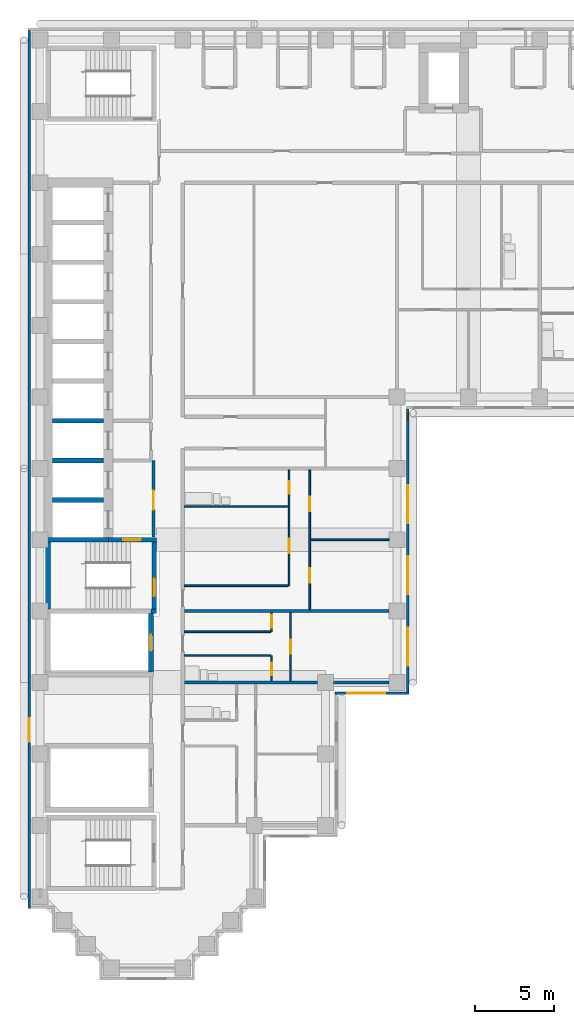
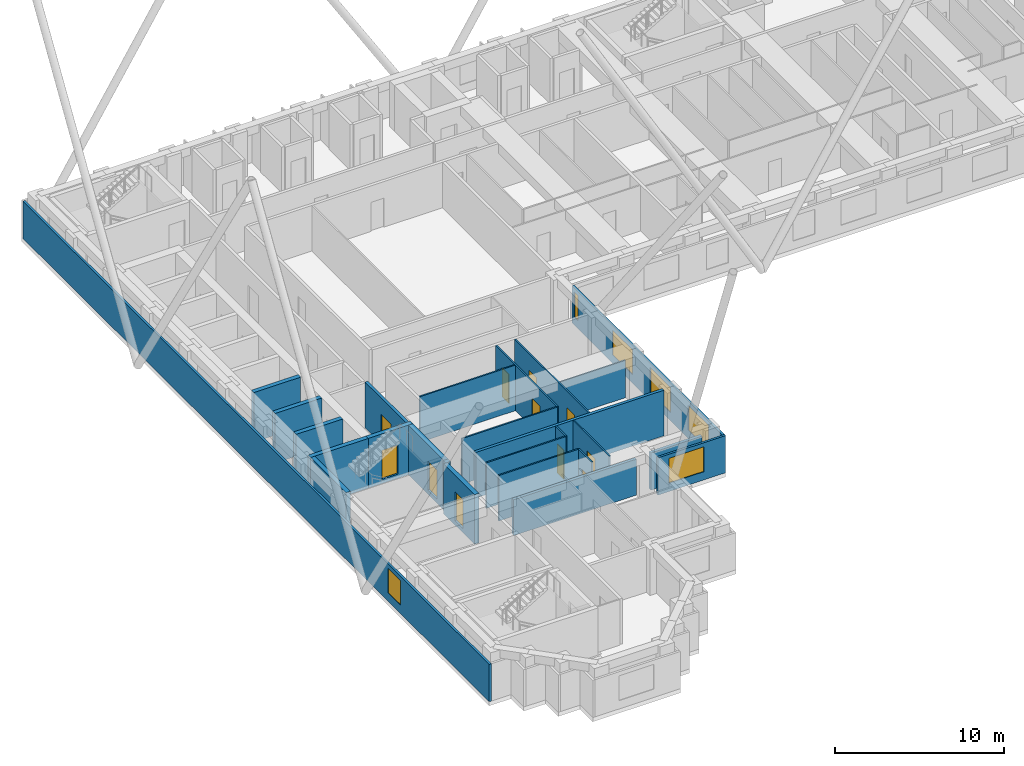
# One storey, part 4 of 13: 26 walls, 11 doors, 6 windows, 17 openings.
"""IFC4 building model written with IfcOpenShell, lengths in metres."""

from ifc_helpers import new_model, si_unit, direction, frame, frame_2d, origin, place, context, subcontext, project, spatial, rectangle, extrude, material, layer, layer_set, type_object, element, fill, save


model = new_model("IFC4")

# Units and contexts
model_context = context("Model", 3, precision=1e-05, world=origin(), true_north=direction((0.0, 1.0)))
body_context = subcontext(model_context, "Body", "Model", "MODEL_VIEW")
ifc_project = project(units=[si_unit("LENGTHUNIT", "METRE"), si_unit("AREAUNIT", "SQUARE_METRE"), si_unit("VOLUMEUNIT", "CUBIC_METRE"), si_unit("PLANEANGLEUNIT", "RADIAN"), si_unit("MASSUNIT", "GRAM", prefix="KILO")], contexts=[model_context])

# Site, building, storey
site_placement = place(None, origin())
site = spatial("IfcSite", under=ifc_project, at=site_placement, CompositionType="ELEMENT")
building_placement = place(site_placement, origin())
building = spatial("IfcBuilding", under=site, at=building_placement, Name="Firuza Court", CompositionType="ELEMENT")
storey_placement = place(building_placement, frame((0.0, 0.0, 119.60009765625)))
storey = spatial("IfcBuildingStorey", under=building, at=storey_placement, Name="L29", CompositionType="ELEMENT", Elevation=119.60009765625)

# Walls
ifc_material_1 = material(Name="Moisture-resistant gypsum board partition")
ifc_layer_1 = layer(ifc_material_1, 0.10009765625)
ifc_layer_set_1 = layer_set([ifc_layer_1], Name="Moisture-resistant gypsum board partition")
wall_type_1 = type_object("IfcWallType", Name="Bathroom partition 100", PredefinedType="PLUMBINGWALL", material=ifc_layer_set_1)
wall_1_placement = place(storey_placement, frame((9.10009765625, 19.699951171875, 0.0), z_axis=(0.0, 0.0, 1.0), x_axis=(1.0, 0.0, 0.0)))
element("IfcWall", 1, at=wall_1_placement, inside=storey, type_object=wall_type_1, Name="Bathroom partition 100 L29", PredefinedType="PLUMBINGWALL", context=body_context, shape_type="SweptSolid", body=[
    extrude(rectangle(XDim=5.449951171875, YDim=0.10009765625, at=frame_2d((2.72509765625, 0.0))), origin(), (0.0, 0.0, 1.0), 3.2998046875),
])
wall_2_placement = place(storey_placement, frame((9.10009765625, 29.10009765625, 0.0), z_axis=(0.0, 0.0, 1.0), x_axis=(1.0, 0.0, 0.0)))
element("IfcWall", 2, at=wall_2_placement, inside=storey, type_object=wall_type_1, Name="Bathroom partition 100 L29", PredefinedType="PLUMBINGWALL", context=body_context, shape_type="SweptSolid", body=[
    extrude(rectangle(XDim=6.5498046875, YDim=0.10009765625, at=frame_2d((3.27490234375, 0.0))), origin(), (0.0, 0.0, 1.0), 3.2998046875),
])
ifc_material_2 = material(Name="Concrete C60/75", Category="concrete")
ifc_layer_2 = layer(ifc_material_2, 0.300048828125)
ifc_layer_set_2 = layer_set([ifc_layer_2], Name="Concrete C60/75")
wall_type_2 = type_object("IfcWallType", Name="Core wall 300 C60/75", PredefinedType="SHEAR", material=ifc_layer_set_2)
wall_3_placement = place(storey_placement, frame((0.35009765625, 27.0, -0.300048828125), z_axis=(0.0, 0.0, 1.0), x_axis=(1.0, 0.0, 0.0)))
element("IfcWall", 3, at=wall_3_placement, inside=storey, type_object=wall_type_2, Name="Core wall lift shaft L29", PredefinedType="SHEAR", context=body_context, shape_type="SweptSolid", body=[
    extrude(rectangle(XDim=3.949951171875, YDim=0.300048828125, at=frame_2d((1.97509765625, 0.0))), origin(), (0.0, 0.0, 1.0), 3.599853515625),
])
wall_4_placement = place(storey_placement, frame((0.5, 22.64990234375, -0.300048828125), z_axis=(0.0, 0.0, 1.0), x_axis=(0.0, 1.0, 0.0)))
element("IfcWall", 4, at=wall_4_placement, inside=storey, type_object=wall_type_2, Name="Core wall stair L29", PredefinedType="SHEAR", context=body_context, shape_type="SweptSolid", body=[
    extrude(rectangle(XDim=4.2001953125, YDim=0.300048828125, at=frame_2d((2.10009765625, 0.0))), origin(), (0.0, 0.0, 1.0), 3.599853515625),
])
for number, where, z_axis, x_axis, name in (
    (5, (0.800048828125, 29.5, -0.300048828125), (0.0, 0.0, 1.0), (1.0, 0.0, 0.0), "Core wall lift shaft L29"),
    (6, (0.800048828125, 32.0, -0.300048828125), (0.0, 0.0, 1.0), (1.0, 0.0, 0.0), "Core wall lift shaft L29"),
    (7, (0.800048828125, 34.5, -0.300048828125), (0.0, 0.0, 1.0), (1.0, 0.0, 0.0), "Core wall lift shaft L29"),
):
    element("IfcWall", number, at=place(storey_placement, frame(where, z_axis=z_axis, x_axis=x_axis)), inside=storey, type_object=wall_type_2, Name=name, PredefinedType="SHEAR", context=body_context, shape_type="SweptSolid", body=[
        extrude(rectangle(XDim=3.199951171875, YDim=0.300048828125, at=frame_2d((1.60009765625, 0.0))), origin(), (0.0, 0.0, 1.0), 3.599853515625),
    ])

# Wall, opening, door
wall_5_placement = place(storey_placement, frame((4.300048828125, 27.0, -0.300048828125), z_axis=(0.0, 0.0, 1.0), x_axis=(1.0, 0.0, 0.0)))
wall_5 = element("IfcWall", 8, at=wall_5_placement, inside=storey, type_object=wall_type_2, Name="Core wall stair L29", PredefinedType="SHEAR", context=body_context, shape_type="SweptSolid", body=[
    extrude(rectangle(XDim=3.050048828125, YDim=0.300048828125, at=frame_2d((1.52490234375, 0.0))), origin(), (0.0, 0.0, 1.0), 3.599853515625),
])
opening_1_placement = place(wall_5_placement, frame((0.949951171875, 0.0, 0.300048828125)))
opening_1 = element("IfcOpeningElement", 9, at=opening_1_placement, cuts=wall_5, Name="Opening D29013", PredefinedType="OPENING", context=body_context, shape_type="SweptSolid", body=[
    extrude(rectangle(XDim=1.10009765625, YDim=2.10009765625, at=frame_2d((0.550048828125, 1.050048828125))), frame((0.0, 0.162109375, 0.0), z_axis=(0.0, -1.0, 0.0), x_axis=(1.0, 0.0, 0.0)), (0.0, 0.0, 1.0), 0.323974609375),
])
ifc_material_3 = material(Name="Timber door leaf in hardwood frame", Category="wood")
door_type_1 = type_object("IfcDoorType", Name="Stair door 1100", OperationType="SINGLE_SWING_LEFT", PredefinedType="DOOR", material=ifc_material_3)
door_1_placement = place(opening_1_placement, frame((1.10009765625, 0.0, 0.0), z_axis=(0.0, 0.0, 1.0), x_axis=(-1.0, 0.0, 0.0)))
door_1 = element("IfcDoor", 10, at=door_1_placement, inside=storey, type_object=door_type_1, Name="Fire-fighting lobby door", OperationType="SINGLE_SWING_LEFT", OverallHeight=2.10009765625, OverallWidth=1.10009765625, PredefinedType="DOOR", context=body_context, shape_type="SweptSolid", body=[
    extrude(rectangle(XDim=1.10009765625, YDim=2.10009765625, at=frame_2d((0.550048828125, 1.050048828125))), frame((0.0, 0.02490234375, 0.0), z_axis=(0.0, -1.0, 0.0), x_axis=(1.0, 0.0, 0.0)), (0.0, 0.0, 1.0), 0.050048828125),
])
fill(opening_1, door_1)

wall_6_placement = place(storey_placement, frame((7.0, 18.64990234375, -0.300048828125), z_axis=(0.0, 0.0, 1.0), x_axis=(0.0, 1.0, 0.0)))
wall_6 = element("IfcWall", 11, at=wall_6_placement, inside=storey, type_object=wall_type_2, Name="Core wall riser L29", PredefinedType="SHEAR", context=body_context, shape_type="SweptSolid", body=[
    extrude(rectangle(XDim=3.7001953125, YDim=0.300048828125, at=frame_2d((1.85009765625, 0.0))), origin(), (0.0, 0.0, 1.0), 3.599853515625),
])
opening_2_placement = place(wall_6_placement, frame((1.35009765625, 0.0, 0.300048828125)))
opening_2 = element("IfcOpeningElement", 12, at=opening_2_placement, cuts=wall_6, Name="Opening D29009", PredefinedType="OPENING", context=body_context, shape_type="SweptSolid", body=[
    extrude(rectangle(XDim=1.0, YDim=2.10009765625, at=frame_2d((0.5, 1.050048828125))), frame((0.0, 0.162109375, 0.0), z_axis=(0.0, -1.0, 0.0), x_axis=(1.0, 0.0, 0.0)), (0.0, 0.0, 1.0), 0.323974609375),
])
ifc_material_4 = material(Name="Timber door leaf in hardwood frame", Category="wood")
door_type_2 = type_object("IfcDoorType", Name="Riser door 1000", OperationType="SINGLE_SWING_LEFT", PredefinedType="DOOR", material=ifc_material_4)
door_2_placement = place(opening_2_placement, origin())
door_2 = element("IfcDoor", 13, at=door_2_placement, inside=storey, type_object=door_type_2, Name="Riser door R1", OperationType="SINGLE_SWING_LEFT", OverallHeight=2.10009765625, OverallWidth=1.0, PredefinedType="DOOR", context=body_context, shape_type="SweptSolid", body=[
    extrude(rectangle(XDim=1.0, YDim=2.10009765625, at=frame_2d((0.5, 1.050048828125))), frame((0.0, 0.02490234375, 0.0), z_axis=(0.0, -1.0, 0.0), x_axis=(1.0, 0.0, 0.0)), (0.0, 0.0, 1.0), 0.050048828125),
])
fill(opening_2, door_2)

# Wall
wall_7_placement = place(storey_placement, frame((7.0, 22.5, -0.300048828125), z_axis=(0.0, 0.0, 1.0), x_axis=(1.0, 0.0, 0.0)))
element("IfcWall", 14, at=wall_7_placement, inside=storey, type_object=wall_type_2, Name="Core wall stair L29", PredefinedType="SHEAR", context=body_context, shape_type="SweptSolid", body=[
    extrude(rectangle(XDim=0.35009765625, YDim=0.300048828125, at=frame_2d((0.175048828125, 0.0))), origin(), (0.0, 0.0, 1.0), 3.599853515625),
])

# Wall, opening, door
wall_8_placement = place(storey_placement, frame((7.199951171875, 22.64990234375, -0.300048828125), z_axis=(0.0, 0.0, 1.0), x_axis=(0.0, 1.0, 0.0)))
wall_8 = element("IfcWall", 15, at=wall_8_placement, inside=storey, type_object=wall_type_2, Name="Core wall stair L29", PredefinedType="SHEAR", context=body_context, shape_type="SweptSolid", body=[
    extrude(rectangle(XDim=4.2001953125, YDim=0.300048828125, at=frame_2d((2.10009765625, 0.0))), origin(), (0.0, 0.0, 1.0), 3.599853515625),
])
opening_3_placement = place(wall_8_placement, frame((0.800048828125, 0.0, 0.300048828125)))
opening_3 = element("IfcOpeningElement", 16, at=opening_3_placement, cuts=wall_8, Name="Opening D29014", PredefinedType="OPENING", context=body_context, shape_type="SweptSolid", body=[
    extrude(rectangle(XDim=1.10009765625, YDim=2.10009765625, at=frame_2d((0.550048828125, 1.050048828125))), frame((0.0, 0.162109375, 0.0), z_axis=(0.0, -1.0, 0.0), x_axis=(1.0, 0.0, 0.0)), (0.0, 0.0, 1.0), 0.323974609375),
])
door_3_placement = place(opening_3_placement, origin())
door_3 = element("IfcDoor", 17, at=door_3_placement, inside=storey, type_object=door_type_1, Name="Stair door S2", OperationType="SINGLE_SWING_LEFT", OverallHeight=2.10009765625, OverallWidth=1.10009765625, PredefinedType="DOOR", context=body_context, shape_type="SweptSolid", body=[
    extrude(rectangle(XDim=1.10009765625, YDim=2.10009765625, at=frame_2d((0.550048828125, 1.050048828125))), frame((0.0, 0.02490234375, 0.0), z_axis=(0.0, -1.0, 0.0), x_axis=(1.0, 0.0, 0.0)), (0.0, 0.0, 1.0), 0.050048828125),
])
fill(opening_3, door_3)

ifc_material_5 = material(Name="Timber stud partition, plasterboard both sides", Category="wood")
ifc_layer_3 = layer(ifc_material_5, 0.10009765625)
ifc_layer_set_3 = layer_set([ifc_layer_3], Name="Timber stud partition, plasterboard both sides")
wall_type_3 = type_object("IfcWallType", Name="Partition wall 100", PredefinedType="PARTITIONING", material=ifc_layer_set_3)
wall_9_placement = place(storey_placement, frame((14.60009765625, 18.10009765625, 0.0), z_axis=(0.0, 0.0, 1.0), x_axis=(0.0, 1.0, 0.0)))
wall_9 = element("IfcWall", 18, at=wall_9_placement, inside=storey, type_object=wall_type_3, Name="Partition wall 100 L29", PredefinedType="PARTITIONING", context=body_context, shape_type="SweptSolid", body=[
    extrude(rectangle(XDim=1.599853515625, YDim=0.10009765625, at=frame_2d((0.7998046875, 0.0))), origin(), (0.0, 0.0, 1.0), 3.2998046875),
])
opening_4_placement = place(wall_9_placement, frame((0.35009765625, 0.0, 0.0)))
opening_4 = element("IfcOpeningElement", 19, at=opening_4_placement, cuts=wall_9, Name="Opening D29027", PredefinedType="OPENING", context=body_context, shape_type="SweptSolid", body=[
    extrude(rectangle(XDim=0.800048828125, YDim=2.10009765625, at=frame_2d((0.39990234375, 1.050048828125))), frame((0.0, 0.06201171875, 0.0), z_axis=(0.0, -1.0, 0.0), x_axis=(1.0, 0.0, 0.0)), (0.0, 0.0, 1.0), 0.1240234375),
])
ifc_material_6 = material(Name="Timber door leaf in hardwood frame", Category="wood")
door_type_3 = type_object("IfcDoorType", Name="Bathroom door 800", OperationType="SINGLE_SWING_LEFT", PredefinedType="DOOR", material=ifc_material_6)
door_4_placement = place(opening_4_placement, origin())
door_4 = element("IfcDoor", 20, at=door_4_placement, inside=storey, type_object=door_type_3, Name="Bathroom door", OperationType="SINGLE_SWING_LEFT", OverallHeight=2.10009765625, OverallWidth=0.800048828125, PredefinedType="DOOR", context=body_context, shape_type="SweptSolid", body=[
    extrude(rectangle(XDim=0.800048828125, YDim=2.10009765625, at=frame_2d((0.39990234375, 1.050048828125))), frame((0.0, 0.02490234375, 0.0), z_axis=(0.0, -1.0, 0.0), x_axis=(1.0, 0.0, 0.0)), (0.0, 0.0, 1.0), 0.050048828125),
])
fill(opening_4, door_4)

wall_10_placement = place(storey_placement, frame((15.800048828125, 18.10009765625, 0.0), z_axis=(0.0, 0.0, 1.0), x_axis=(0.0, 1.0, 0.0)))
wall_10 = element("IfcWall", 21, at=wall_10_placement, inside=storey, type_object=wall_type_3, Name="Partition wall 100 L29", PredefinedType="PARTITIONING", context=body_context, shape_type="SweptSolid", body=[
    extrude(rectangle(XDim=4.2998046875, YDim=0.10009765625, at=frame_2d((2.14990234375, 0.0))), origin(), (0.0, 0.0, 1.0), 3.2998046875),
])
opening_5_placement = place(wall_10_placement, frame((1.699951171875, 0.0, 0.0)))
opening_5 = element("IfcOpeningElement", 22, at=opening_5_placement, cuts=wall_10, Name="Opening D29028", PredefinedType="OPENING", context=body_context, shape_type="SweptSolid", body=[
    extrude(rectangle(XDim=0.89990234375, YDim=2.10009765625, at=frame_2d((0.449951171875, 1.050048828125))), frame((0.0, 0.06201171875, 0.0), z_axis=(0.0, -1.0, 0.0), x_axis=(1.0, 0.0, 0.0)), (0.0, 0.0, 1.0), 0.1240234375),
])
ifc_material_7 = material(Name="Timber door leaf in hardwood frame", Category="wood")
door_type_4 = type_object("IfcDoorType", Name="Room door 900", OperationType="SINGLE_SWING_LEFT", PredefinedType="DOOR", material=ifc_material_7)
door_5_placement = place(opening_5_placement, frame((0.89990234375, 0.0, 0.0), z_axis=(0.0, 0.0, 1.0), x_axis=(-1.0, 0.0, 0.0)))
door_5 = element("IfcDoor", 23, at=door_5_placement, inside=storey, type_object=door_type_4, Name="Studio room door", OperationType="SINGLE_SWING_RIGHT", OverallHeight=2.10009765625, OverallWidth=0.89990234375, PredefinedType="DOOR", context=body_context, shape_type="SweptSolid", body=[
    extrude(rectangle(XDim=0.89990234375, YDim=2.10009765625, at=frame_2d((0.449951171875, 1.050048828125))), frame((0.0, 0.02490234375, 0.0), z_axis=(0.0, -1.0, 0.0), x_axis=(1.0, 0.0, 0.0)), (0.0, 0.0, 1.0), 0.050048828125),
])
fill(opening_5, door_5)

# Wall
wall_11_placement = place(storey_placement, frame((9.10009765625, 21.199951171875, 0.0), z_axis=(0.0, 0.0, 1.0), x_axis=(1.0, 0.0, 0.0)))
element("IfcWall", 24, at=wall_11_placement, inside=storey, type_object=wall_type_3, Name="Partition wall 100 L29", PredefinedType="PARTITIONING", context=body_context, shape_type="SweptSolid", body=[
    extrude(rectangle(XDim=5.449951171875, YDim=0.10009765625, at=frame_2d((2.72509765625, 0.0))), origin(), (0.0, 0.0, 1.0), 3.2998046875),
])

# Wall, opening, door
wall_12_placement = place(storey_placement, frame((14.60009765625, 21.199951171875, 0.0), z_axis=(0.0, 0.0, 1.0), x_axis=(0.0, 1.0, 0.0)))
wall_12 = element("IfcWall", 25, at=wall_12_placement, inside=storey, type_object=wall_type_3, Name="Partition wall 100 L29", PredefinedType="PARTITIONING", context=body_context, shape_type="SweptSolid", body=[
    extrude(rectangle(XDim=1.199951171875, YDim=0.10009765625, at=frame_2d((0.60009765625, 0.0))), origin(), (0.0, 0.0, 1.0), 3.2998046875),
])
opening_6_placement = place(wall_12_placement, frame((0.25, 0.0, 0.0)))
opening_6 = element("IfcOpeningElement", 26, at=opening_6_placement, cuts=wall_12, Name="Opening D29029", PredefinedType="OPENING", context=body_context, shape_type="SweptSolid", body=[
    extrude(rectangle(XDim=0.800048828125, YDim=2.10009765625, at=frame_2d((0.39990234375, 1.050048828125))), frame((0.0, 0.06201171875, 0.0), z_axis=(0.0, -1.0, 0.0), x_axis=(1.0, 0.0, 0.0)), (0.0, 0.0, 1.0), 0.1240234375),
])
ifc_material_8 = material(Name="Timber door leaf in hardwood frame", Category="wood")
door_type_5 = type_object("IfcDoorType", Name="Room door 800", OperationType="SINGLE_SWING_LEFT", PredefinedType="DOOR", material=ifc_material_8)
door_6_placement = place(opening_6_placement, origin())
door_6 = element("IfcDoor", 27, at=door_6_placement, inside=storey, type_object=door_type_5, Name="Kitchen door", OperationType="SINGLE_SWING_LEFT", OverallHeight=2.10009765625, OverallWidth=0.800048828125, PredefinedType="DOOR", context=body_context, shape_type="SweptSolid", body=[
    extrude(rectangle(XDim=0.800048828125, YDim=2.10009765625, at=frame_2d((0.39990234375, 1.050048828125))), frame((0.0, 0.02490234375, 0.0), z_axis=(0.0, -1.0, 0.0), x_axis=(1.0, 0.0, 0.0)), (0.0, 0.0, 1.0), 0.050048828125),
])
fill(opening_6, door_6)

# Wall, openings, doors
wall_13_placement = place(storey_placement, frame((17.0, 22.60009765625, 0.0), z_axis=(0.0, 0.0, 1.0), x_axis=(0.0, 1.0, 0.0)))
wall_13 = element("IfcWall", 28, at=wall_13_placement, inside=storey, type_object=wall_type_3, Name="Partition wall 100 L29", PredefinedType="PARTITIONING", context=body_context, shape_type="SweptSolid", body=[
    extrude(rectangle(XDim=8.7998046875, YDim=0.10009765625, at=frame_2d((4.39990234375, 0.0))), origin(), (0.0, 0.0, 1.0), 3.2998046875),
])
opening_7_placement = place(wall_13_placement, frame((1.699951171875, 0.0, 0.0)))
opening_7 = element("IfcOpeningElement", 29, at=opening_7_placement, cuts=wall_13, Name="Opening D29030", PredefinedType="OPENING", context=body_context, shape_type="SweptSolid", body=[
    extrude(rectangle(XDim=0.89990234375, YDim=2.10009765625, at=frame_2d((0.449951171875, 1.050048828125))), frame((0.0, 0.06201171875, 0.0), z_axis=(0.0, -1.0, 0.0), x_axis=(1.0, 0.0, 0.0)), (0.0, 0.0, 1.0), 0.1240234375),
])
opening_8_placement = place(wall_13_placement, frame((6.199951171875, 0.0, 0.0)))
opening_8 = element("IfcOpeningElement", 30, at=opening_8_placement, cuts=wall_13, Name="Opening D29031", PredefinedType="OPENING", context=body_context, shape_type="SweptSolid", body=[
    extrude(rectangle(XDim=0.89990234375, YDim=2.10009765625, at=frame_2d((0.449951171875, 1.050048828125))), frame((0.0, 0.06201171875, 0.0), z_axis=(0.0, -1.0, 0.0), x_axis=(1.0, 0.0, 0.0)), (0.0, 0.0, 1.0), 0.1240234375),
])
door_7_placement = place(opening_7_placement, frame((0.89990234375, 0.0, 0.0), z_axis=(0.0, 0.0, 1.0), x_axis=(-1.0, 0.0, 0.0)))
door_7 = element("IfcDoor", 31, at=door_7_placement, inside=storey, type_object=door_type_4, Name="Bedroom door", OperationType="SINGLE_SWING_RIGHT", OverallHeight=2.10009765625, OverallWidth=0.89990234375, PredefinedType="DOOR", context=body_context, shape_type="SweptSolid", body=[
    extrude(rectangle(XDim=0.89990234375, YDim=2.10009765625, at=frame_2d((0.449951171875, 1.050048828125))), frame((0.0, 0.02490234375, 0.0), z_axis=(0.0, -1.0, 0.0), x_axis=(1.0, 0.0, 0.0)), (0.0, 0.0, 1.0), 0.050048828125),
])
fill(opening_7, door_7)
door_8_placement = place(opening_8_placement, frame((0.89990234375, 0.0, 0.0), z_axis=(0.0, 0.0, 1.0), x_axis=(-1.0, 0.0, 0.0)))
door_8 = element("IfcDoor", 32, at=door_8_placement, inside=storey, type_object=door_type_4, Name="Living room door", OperationType="SINGLE_SWING_RIGHT", OverallHeight=2.10009765625, OverallWidth=0.89990234375, PredefinedType="DOOR", context=body_context, shape_type="SweptSolid", body=[
    extrude(rectangle(XDim=0.89990234375, YDim=2.10009765625, at=frame_2d((0.449951171875, 1.050048828125))), frame((0.0, 0.02490234375, 0.0), z_axis=(0.0, -1.0, 0.0), x_axis=(1.0, 0.0, 0.0)), (0.0, 0.0, 1.0), 0.050048828125),
])
fill(opening_8, door_8)

# Wall
wall_14_placement = place(storey_placement, frame((9.10009765625, 24.10009765625, 0.0), z_axis=(0.0, 0.0, 1.0), x_axis=(1.0, 0.0, 0.0)))
element("IfcWall", 33, at=wall_14_placement, inside=storey, type_object=wall_type_3, Name="Partition wall 100 L29", PredefinedType="PARTITIONING", context=body_context, shape_type="SweptSolid", body=[
    extrude(rectangle(XDim=6.5498046875, YDim=0.10009765625, at=frame_2d((3.27490234375, 0.0))), origin(), (0.0, 0.0, 1.0), 3.2998046875),
])

# Wall, openings, doors
wall_15_placement = place(storey_placement, frame((15.699951171875, 24.10009765625, 0.0), z_axis=(0.0, 0.0, 1.0), x_axis=(0.0, 1.0, 0.0)))
wall_15 = element("IfcWall", 34, at=wall_15_placement, inside=storey, type_object=wall_type_3, Name="Partition wall 100 L29", PredefinedType="PARTITIONING", context=body_context, shape_type="SweptSolid", body=[
    extrude(rectangle(XDim=7.2998046875, YDim=0.10009765625, at=frame_2d((3.64990234375, 0.0))), origin(), (0.0, 0.0, 1.0), 3.2998046875),
])
opening_9_placement = place(wall_15_placement, frame((5.800048828125, 0.0, 0.0)))
opening_9 = element("IfcOpeningElement", 35, at=opening_9_placement, cuts=wall_15, Name="Opening D29032", PredefinedType="OPENING", context=body_context, shape_type="SweptSolid", body=[
    extrude(rectangle(XDim=0.800048828125, YDim=2.10009765625, at=frame_2d((0.39990234375, 1.050048828125))), frame((0.0, 0.06201171875, 0.0), z_axis=(0.0, -1.0, 0.0), x_axis=(1.0, 0.0, 0.0)), (0.0, 0.0, 1.0), 0.1240234375),
])
opening_10_placement = place(wall_15_placement, frame((2.050048828125, 0.0, 0.0)))
opening_10 = element("IfcOpeningElement", 36, at=opening_10_placement, cuts=wall_15, Name="Opening D29033", PredefinedType="OPENING", context=body_context, shape_type="SweptSolid", body=[
    extrude(rectangle(XDim=0.89990234375, YDim=2.10009765625, at=frame_2d((0.449951171875, 1.050048828125))), frame((0.0, 0.06201171875, 0.0), z_axis=(0.0, -1.0, 0.0), x_axis=(1.0, 0.0, 0.0)), (0.0, 0.0, 1.0), 0.1240234375),
])
door_9_placement = place(opening_9_placement, origin())
door_9 = element("IfcDoor", 37, at=door_9_placement, inside=storey, type_object=door_type_3, Name="Bathroom door", OperationType="SINGLE_SWING_LEFT", OverallHeight=2.10009765625, OverallWidth=0.800048828125, PredefinedType="DOOR", context=body_context, shape_type="SweptSolid", body=[
    extrude(rectangle(XDim=0.800048828125, YDim=2.10009765625, at=frame_2d((0.39990234375, 1.050048828125))), frame((0.0, 0.02490234375, 0.0), z_axis=(0.0, -1.0, 0.0), x_axis=(1.0, 0.0, 0.0)), (0.0, 0.0, 1.0), 0.050048828125),
])
fill(opening_9, door_9)
door_10_placement = place(opening_10_placement, origin())
door_10 = element("IfcDoor", 38, at=door_10_placement, inside=storey, type_object=door_type_4, Name="Kitchen door", OperationType="SINGLE_SWING_LEFT", OverallHeight=2.10009765625, OverallWidth=0.89990234375, PredefinedType="DOOR", context=body_context, shape_type="SweptSolid", body=[
    extrude(rectangle(XDim=0.89990234375, YDim=2.10009765625, at=frame_2d((0.449951171875, 1.050048828125))), frame((0.0, 0.02490234375, 0.0), z_axis=(0.0, -1.0, 0.0), x_axis=(1.0, 0.0, 0.0)), (0.0, 0.0, 1.0), 0.050048828125),
])
fill(opening_10, door_10)

# Walls
wall_16_placement = place(storey_placement, frame((17.050048828125, 27.0, 0.0), z_axis=(0.0, 0.0, 1.0), x_axis=(1.0, 0.0, 0.0)))
element("IfcWall", 39, at=wall_16_placement, inside=storey, type_object=wall_type_3, Name="Partition wall 100 L29", PredefinedType="PARTITIONING", context=body_context, shape_type="SweptSolid", body=[
    extrude(rectangle(XDim=4.949951171875, YDim=0.10009765625, at=frame_2d((2.47509765625, 0.0))), origin(), (0.0, 0.0, 1.0), 2.699951171875),
])
ifc_material_9 = material(Name="Blockwork, plastered both sides", Category="masonry")
ifc_layer_4 = layer(ifc_material_9, 0.199951171875)
ifc_layer_set_4 = layer_set([ifc_layer_4], Name="Blockwork, plastered both sides")
wall_type_4 = type_object("IfcWallType", Name="Party wall 200", PredefinedType="PARTITIONING", material=ifc_layer_set_4)
wall_17_placement = place(storey_placement, frame((9.10009765625, 18.0, 0.0), z_axis=(0.0, 0.0, 1.0), x_axis=(1.0, 0.0, 0.0)))
element("IfcWall", 40, at=wall_17_placement, inside=storey, type_object=wall_type_4, Name="Party wall 200 L29", PredefinedType="PARTITIONING", context=body_context, shape_type="SweptSolid", body=[
    extrude(rectangle(XDim=8.39990234375, YDim=0.199951171875, at=frame_2d((4.199951171875, 0.0))), origin(), (0.0, 0.0, 1.0), 2.599853515625),
])
wall_18_placement = place(storey_placement, frame((18.5, 18.0, 0.0), z_axis=(0.0, 0.0, 1.0), x_axis=(1.0, 0.0, 0.0)))
element("IfcWall", 41, at=wall_18_placement, inside=storey, type_object=wall_type_4, Name="Party wall 200 L29", PredefinedType="PARTITIONING", context=body_context, shape_type="SweptSolid", body=[
    extrude(rectangle(XDim=3.5, YDim=0.199951171875, at=frame_2d((1.75, 0.0))), origin(), (0.0, 0.0, 1.0), 2.699951171875),
])
wall_19_placement = place(storey_placement, frame((9.10009765625, 22.5, 0.0), z_axis=(0.0, 0.0, 1.0), x_axis=(1.0, 0.0, 0.0)))
element("IfcWall", 42, at=wall_19_placement, inside=storey, type_object=wall_type_4, Name="Party wall 200 L29", PredefinedType="PARTITIONING", context=body_context, shape_type="SweptSolid", body=[
    extrude(rectangle(XDim=12.89990234375, YDim=0.199951171875, at=frame_2d((6.449951171875, 0.0))), origin(), (0.0, 0.0, 1.0), 3.2998046875),
])

# Wall, opening, window
ifc_material_10 = material(Name="Ceramic tile", Category="ceramic")
ifc_layer_5 = layer(ifc_material_10, 0.02001953125)
ifc_material_11 = material(Name="Mineral wool insulation", Category="insulation")
ifc_layer_6 = layer(ifc_material_11, 0.050048828125)
ifc_material_12 = material(Name="Concrete C40/50 precast", Category="concrete")
ifc_layer_7 = layer(ifc_material_12, 0.080078125)
ifc_layer_set_5 = layer_set([ifc_layer_5, ifc_layer_6, ifc_layer_7], Name="Concrete C40/50 precast")
wall_type_5 = type_object("IfcWallType", Name="Precast cladding wall with turquoise TILE PANEL face 150", PredefinedType="STANDARD", material=ifc_layer_set_5)
wall_20_placement = place(storey_placement, frame((18.60009765625, 17.324951171875, 0.0), z_axis=(0.0, 0.0, 1.0), x_axis=(1.0, 0.0, 0.0)))
wall_20 = element("IfcWall", 43, at=wall_20_placement, inside=storey, type_object=wall_type_5, Name="Facade wall L29 S", PredefinedType="STANDARD", context=body_context, shape_type="SweptSolid", body=[
    extrude(rectangle(XDim=4.64990234375, YDim=0.14990234375, at=frame_2d((2.324951171875, 0.0))), origin(), (0.0, 0.0, 1.0), 2.699951171875),
])
opening_11_placement = place(wall_20_placement, frame((0.756591796875, 0.0, 0.60009765625)))
opening_11 = element("IfcOpeningElement", 44, at=opening_11_placement, cuts=wall_20, Name="Opening W1", PredefinedType="OPENING", context=body_context, shape_type="SweptSolid", body=[
    extrude(rectangle(XDim=2.39990234375, YDim=1.800048828125, at=frame_2d((1.199951171875, 0.89990234375))), frame((0.0, 0.0869140625, 0.0), z_axis=(0.0, -1.0, 0.0), x_axis=(1.0, 0.0, 0.0)), (0.0, 0.0, 1.0), 0.173828125),
])
ifc_material_13 = material(Name="Aluminium frame, triple clear glazing", Category="aluminium")
window_type_1 = type_object("IfcWindowType", Name="Window W1 2400 x 1800", PartitioningType="SINGLE_PANEL", PredefinedType="WINDOW", material=ifc_material_13)
window_1_placement = place(opening_11_placement, origin())
window_1 = element("IfcWindow", 45, at=window_1_placement, inside=storey, type_object=window_type_1, Name="Window L29", OverallHeight=1.800048828125, OverallWidth=2.39990234375, PartitioningType="SINGLE_PANEL", PredefinedType="WINDOW", context=body_context, shape_type="SweptSolid", body=[
    extrude(rectangle(XDim=2.39990234375, YDim=1.800048828125, at=frame_2d((1.199951171875, 0.89990234375))), frame((0.0, 0.030029296875, 0.0), z_axis=(0.0, -1.0, 0.0), x_axis=(1.0, 0.0, 0.0)), (0.0, 0.0, 1.0), 0.06005859375),
])
fill(opening_11, window_1)

# Wall, openings, windows
wall_21_placement = place(storey_placement, frame((23.175048828125, 17.39990234375, 0.0), z_axis=(0.0, 0.0, 1.0), x_axis=(0.0, 1.0, 0.0)))
wall_21 = element("IfcWall", 46, at=wall_21_placement, inside=storey, type_object=wall_type_5, Name="Facade wall L29 E", PredefinedType="STANDARD", context=body_context, shape_type="SweptSolid", body=[
    extrude(rectangle(XDim=17.85009765625, YDim=0.14990234375, at=frame_2d((8.925048828125, 0.0))), origin(), (0.0, 0.0, 1.0), 2.699951171875),
])
opening_12_placement = place(wall_21_placement, frame((1.64990234375, 0.0, 0.60009765625)))
opening_12 = element("IfcOpeningElement", 47, at=opening_12_placement, cuts=wall_21, Name="Opening W1", PredefinedType="OPENING", context=body_context, shape_type="SweptSolid", body=[
    extrude(rectangle(XDim=2.39990234375, YDim=1.800048828125, at=frame_2d((1.199951171875, 0.89990234375))), frame((0.0, 0.0869140625, 0.0), z_axis=(0.0, -1.0, 0.0), x_axis=(1.0, 0.0, 0.0)), (0.0, 0.0, 1.0), 0.173828125),
])
opening_13_placement = place(wall_21_placement, frame((6.14990234375, 0.0, 0.60009765625)))
opening_13 = element("IfcOpeningElement", 48, at=opening_13_placement, cuts=wall_21, Name="Opening W1", PredefinedType="OPENING", context=body_context, shape_type="SweptSolid", body=[
    extrude(rectangle(XDim=2.39990234375, YDim=1.800048828125, at=frame_2d((1.199951171875, 0.89990234375))), frame((0.0, 0.0869140625, 0.0), z_axis=(0.0, -1.0, 0.0), x_axis=(1.0, 0.0, 0.0)), (0.0, 0.0, 1.0), 0.173828125),
])
opening_14_placement = place(wall_21_placement, frame((10.64990234375, 0.0, 0.60009765625)))
opening_14 = element("IfcOpeningElement", 49, at=opening_14_placement, cuts=wall_21, Name="Opening W1", PredefinedType="OPENING", context=body_context, shape_type="SweptSolid", body=[
    extrude(rectangle(XDim=2.39990234375, YDim=1.800048828125, at=frame_2d((1.199951171875, 0.89990234375))), frame((0.0, 0.0869140625, 0.0), z_axis=(0.0, -1.0, 0.0), x_axis=(1.0, 0.0, 0.0)), (0.0, 0.0, 1.0), 0.173828125),
])
opening_15_placement = place(wall_21_placement, frame((17.1298828125, 0.0, 0.60009765625)))
opening_15 = element("IfcOpeningElement", 50, at=opening_15_placement, cuts=wall_21, Name="Opening W5", PredefinedType="OPENING", context=body_context, shape_type="SweptSolid", body=[
    extrude(rectangle(XDim=0.449951171875, YDim=1.800048828125, at=frame_2d((0.22509765625, 0.89990234375))), frame((0.0, 0.0869140625, 0.0), z_axis=(0.0, -1.0, 0.0), x_axis=(1.0, 0.0, 0.0)), (0.0, 0.0, 1.0), 0.173828125),
])
window_2_placement = place(opening_12_placement, origin())
window_2 = element("IfcWindow", 51, at=window_2_placement, inside=storey, type_object=window_type_1, Name="Window L29", OverallHeight=1.800048828125, OverallWidth=2.39990234375, PartitioningType="SINGLE_PANEL", PredefinedType="WINDOW", context=body_context, shape_type="SweptSolid", body=[
    extrude(rectangle(XDim=2.39990234375, YDim=1.800048828125, at=frame_2d((1.199951171875, 0.89990234375))), frame((0.0, 0.030029296875, 0.0), z_axis=(0.0, -1.0, 0.0), x_axis=(1.0, 0.0, 0.0)), (0.0, 0.0, 1.0), 0.06005859375),
])
fill(opening_12, window_2)
window_3_placement = place(opening_13_placement, origin())
window_3 = element("IfcWindow", 52, at=window_3_placement, inside=storey, type_object=window_type_1, Name="Window L29", OverallHeight=1.800048828125, OverallWidth=2.39990234375, PartitioningType="SINGLE_PANEL", PredefinedType="WINDOW", context=body_context, shape_type="SweptSolid", body=[
    extrude(rectangle(XDim=2.39990234375, YDim=1.800048828125, at=frame_2d((1.199951171875, 0.89990234375))), frame((0.0, 0.030029296875, 0.0), z_axis=(0.0, -1.0, 0.0), x_axis=(1.0, 0.0, 0.0)), (0.0, 0.0, 1.0), 0.06005859375),
])
fill(opening_13, window_3)
window_4_placement = place(opening_14_placement, origin())
window_4 = element("IfcWindow", 53, at=window_4_placement, inside=storey, type_object=window_type_1, Name="Window L29", OverallHeight=1.800048828125, OverallWidth=2.39990234375, PartitioningType="SINGLE_PANEL", PredefinedType="WINDOW", context=body_context, shape_type="SweptSolid", body=[
    extrude(rectangle(XDim=2.39990234375, YDim=1.800048828125, at=frame_2d((1.199951171875, 0.89990234375))), frame((0.0, 0.030029296875, 0.0), z_axis=(0.0, -1.0, 0.0), x_axis=(1.0, 0.0, 0.0)), (0.0, 0.0, 1.0), 0.06005859375),
])
fill(opening_14, window_4)
ifc_material_14 = material(Name="Aluminium frame, triple clear glazing", Category="aluminium")
window_type_2 = type_object("IfcWindowType", Name="Window W5 450 x 1800", PartitioningType="SINGLE_PANEL", PredefinedType="WINDOW", material=ifc_material_14)
window_5_placement = place(opening_15_placement, origin())
window_5 = element("IfcWindow", 54, at=window_5_placement, inside=storey, type_object=window_type_2, Name="Window L29", OverallHeight=1.800048828125, OverallWidth=0.449951171875, PartitioningType="SINGLE_PANEL", PredefinedType="WINDOW", context=body_context, shape_type="SweptSolid", body=[
    extrude(rectangle(XDim=0.449951171875, YDim=1.800048828125, at=frame_2d((0.22509765625, 0.89990234375))), frame((0.0, 0.030029296875, 0.0), z_axis=(0.0, -1.0, 0.0), x_axis=(1.0, 0.0, 0.0)), (0.0, 0.0, 1.0), 0.06005859375),
])
fill(opening_15, window_5)

# Wall, opening, window
wall_22_placement = place(storey_placement, frame((-0.675048828125, 59.10009765625, 0.0), z_axis=(0.0, 0.0, 1.0), x_axis=(0.0, -1.0, 0.0)))
wall_22 = element("IfcWall", 55, at=wall_22_placement, inside=storey, type_object=wall_type_5, Name="Facade wall L29 W", PredefinedType="STANDARD", context=body_context, shape_type="SweptSolid", body=[
    extrude(rectangle(XDim=55.35009765625, YDim=0.14990234375, at=frame_2d((27.675048828125, 0.0))), origin(), (0.0, 0.0, 1.0), 2.699951171875),
])
opening_16_placement = place(wall_22_placement, frame((43.3466796875, 0.0, 0.60009765625)))
opening_16 = element("IfcOpeningElement", 56, at=opening_16_placement, cuts=wall_22, Name="Opening W2", PredefinedType="OPENING", context=body_context, shape_type="SweptSolid", body=[
    extrude(rectangle(XDim=1.5, YDim=1.800048828125, at=frame_2d((0.75, 0.89990234375))), frame((0.0, 0.0869140625, 0.0), z_axis=(0.0, -1.0, 0.0), x_axis=(1.0, 0.0, 0.0)), (0.0, 0.0, 1.0), 0.173828125),
])
ifc_material_15 = material(Name="Aluminium frame, triple clear glazing", Category="aluminium")
window_type_3 = type_object("IfcWindowType", Name="Window W2 1500 x 1800", PartitioningType="SINGLE_PANEL", PredefinedType="WINDOW", material=ifc_material_15)
window_6_placement = place(opening_16_placement, origin())
window_6 = element("IfcWindow", 57, at=window_6_placement, inside=storey, type_object=window_type_3, Name="Window L29", OverallHeight=1.800048828125, OverallWidth=1.5, PartitioningType="SINGLE_PANEL", PredefinedType="WINDOW", context=body_context, shape_type="SweptSolid", body=[
    extrude(rectangle(XDim=1.5, YDim=1.800048828125, at=frame_2d((0.75, 0.89990234375))), frame((0.0, 0.030029296875, 0.0), z_axis=(0.0, -1.0, 0.0), x_axis=(1.0, 0.0, 0.0)), (0.0, 0.0, 1.0), 0.06005859375),
])
fill(opening_16, window_6)

# Wall, opening, door
ifc_material_16 = material(Name="Blockwork, fire-rated", Category="masonry")
ifc_layer_8 = layer(ifc_material_16, 0.199951171875)
ifc_layer_set_6 = layer_set([ifc_layer_8], Name="Blockwork, fire-rated")
wall_type_6 = type_object("IfcWallType", Name="Shaft wall 200", PredefinedType="PARTITIONING", material=ifc_layer_set_6)
wall_23_placement = place(storey_placement, frame((7.14990234375, 27.169921875, 0.0), z_axis=(0.0, 0.0, 1.0), x_axis=(0.0, 1.0, 0.0)))
wall_23 = element("IfcWall", 58, at=wall_23_placement, inside=storey, type_object=wall_type_6, Name="Shaft wall 200 L29", PredefinedType="PARTITIONING", context=body_context, shape_type="SweptSolid", body=[
    extrude(rectangle(XDim=4.830078125, YDim=0.199951171875, at=frame_2d((2.4150390625, 0.0))), origin(), (0.0, 0.0, 1.0), 3.2998046875),
])
opening_17_placement = place(wall_23_placement, frame((1.72998046875, 0.0, 0.0)))
opening_17 = element("IfcOpeningElement", 59, at=opening_17_placement, cuts=wall_23, Name="Opening D29002", PredefinedType="OPENING", context=body_context, shape_type="SweptSolid", body=[
    extrude(rectangle(XDim=1.199951171875, YDim=2.10009765625, at=frame_2d((0.60009765625, 1.050048828125))), frame((0.0, 0.11181640625, 0.0), z_axis=(0.0, -1.0, 0.0), x_axis=(1.0, 0.0, 0.0)), (0.0, 0.0, 1.0), 0.223876953125),
])
ifc_material_17 = material(Name="Timber door leaf in hardwood frame", Category="wood")
door_type_6 = type_object("IfcDoorType", Name="Lobby door 1200", OperationType="SINGLE_SWING_LEFT", PredefinedType="DOOR", material=ifc_material_17)
door_11_placement = place(opening_17_placement, origin())
door_11 = element("IfcDoor", 60, at=door_11_placement, inside=storey, type_object=door_type_6, Name="Fire-fighting lobby door", OperationType="SINGLE_SWING_LEFT", OverallHeight=2.10009765625, OverallWidth=1.199951171875, PredefinedType="DOOR", context=body_context, shape_type="SweptSolid", body=[
    extrude(rectangle(XDim=1.199951171875, YDim=2.10009765625, at=frame_2d((0.60009765625, 1.050048828125))), frame((0.0, 0.02490234375, 0.0), z_axis=(0.0, -1.0, 0.0), x_axis=(1.0, 0.0, 0.0)), (0.0, 0.0, 1.0), 0.050048828125),
])
fill(opening_17, door_11)

save(model, "model.ifc")
